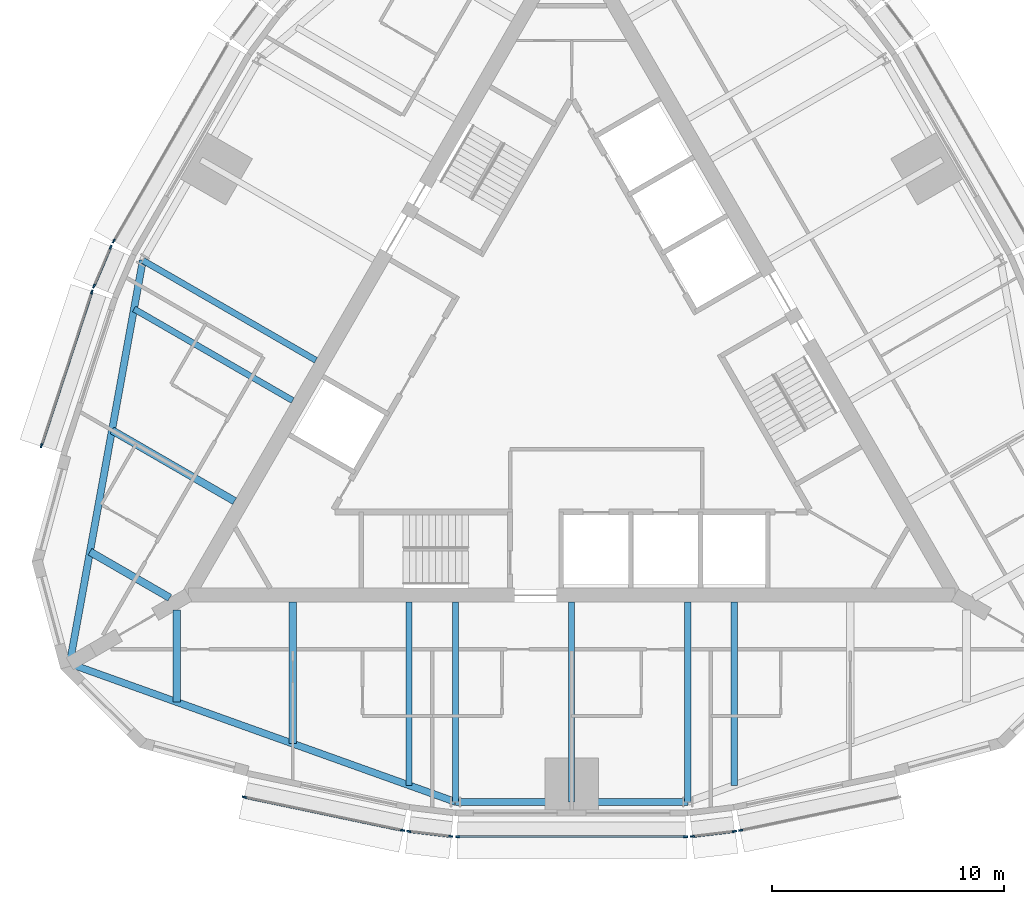
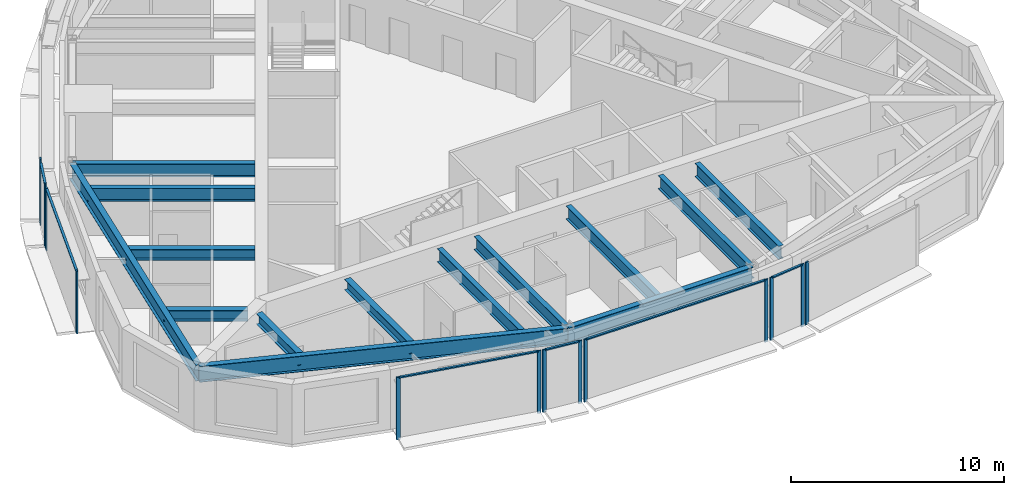
# One storey, part 2 of 12: 20 members, 14 beams, 8 elements without a shape of their own.
"""IFC4 building model written with IfcOpenShell, lengths in metres."""

from ifc_helpers import new_model, si_unit, direction, frame, origin, origin_2d, place, context, subcontext, project, spatial, rectangle, i_section, extrude, material, material_profile, profile_set, type_object, element, aggregate, save


model = new_model("IFC4")

# Units and contexts
model_context = context("Model", 3, precision=1e-05, world=origin(), true_north=direction((0.0, 1.0)))
body_context = subcontext(model_context, "Body", "Model", "MODEL_VIEW")
ifc_project = project(units=[si_unit("LENGTHUNIT", "METRE"), si_unit("AREAUNIT", "SQUARE_METRE"), si_unit("VOLUMEUNIT", "CUBIC_METRE"), si_unit("PLANEANGLEUNIT", "RADIAN"), si_unit("MASSUNIT", "GRAM", prefix="KILO")], contexts=[model_context])

# Site, building, storey
site_placement = place(None, origin())
site = spatial("IfcSite", under=ifc_project, at=site_placement, CompositionType="ELEMENT")
building_placement = place(site_placement, origin())
building = spatial("IfcBuilding", under=site, at=building_placement, Name="Trikona Tower", CompositionType="ELEMENT")
storey_placement = place(building_placement, frame((0.0, 0.0, 260.89990234375)))
storey = spatial("IfcBuildingStorey", under=building, at=storey_placement, Name="L69", CompositionType="ELEMENT", Elevation=260.89990234375)

# Curtain wall, members
ifc_material_1 = material(Name="Aluminium curtain wall system", Category="aluminium")
curtain_wall_type = type_object("IfcCurtainWallType", Name="Curtain wall DS3", PredefinedType="NOTDEFINED", material=ifc_material_1)
curtain_wall_1_placement = place(storey_placement, origin())
curtain_wall_1 = element("IfcCurtainWall", 1, at=curtain_wall_1_placement, inside=storey, type_object=curtain_wall_type, Name="Curtain wall DS3 L69", PredefinedType="NOTDEFINED")
ifc_material_2 = material(Name="Aluminium mullion, pale anodised", Category="aluminium")
ifc_material_profile_1 = material_profile(ifc_material_2, rectangle(XDim=0.070068359375, YDim=0.179931640625, at=origin_2d()), Name="MUL-DS3")
ifc_profile_set_1 = profile_set([ifc_material_profile_1], Name="Aluminium mullion, pale anodised")
member_type_1 = type_object("IfcMemberType", Name="Mullion DS3 70x180", PredefinedType="MULLION", material=ifc_profile_set_1)
member_1_placement = place(storey_placement, frame((-14.092041015625, -18.220703125, 0.0), z_axis=(0.0, 0.0, 1.0), x_axis=(0.205527448396, 0.978651351583, 0.0)))
member_1 = element("IfcMember", 2, at=member_1_placement, type_object=member_type_1, Name="CW-DS3 mullion 1", PredefinedType="MULLION", context=body_context, shape_type="SweptSolid", body=[
    extrude(rectangle(XDim=0.070068359375, YDim=0.179931640625, at=origin_2d()), origin(), (0.0, 0.0, 1.0), 3.60009765625),
])
member_2_placement = place(storey_placement, frame((-7.27783203125, -19.65185546875, 0.0), z_axis=(0.0, 0.0, 1.0), x_axis=(0.205527448396, 0.978651351583, 0.0)))
member_2 = element("IfcMember", 3, at=member_2_placement, type_object=member_type_1, Name="CW-DS3 mullion 2", PredefinedType="MULLION", context=body_context, shape_type="SweptSolid", body=[
    extrude(rectangle(XDim=0.070068359375, YDim=0.179931640625, at=origin_2d()), origin(), (0.0, 0.0, 1.0), 3.60009765625),
])

curtain_wall_2_placement = place(storey_placement, origin())
curtain_wall_2 = element("IfcCurtainWall", 4, at=curtain_wall_2_placement, inside=storey, type_object=curtain_wall_type, Name="Curtain wall DS3 L69", PredefinedType="NOTDEFINED")
member_3_placement = place(storey_placement, frame((-7.012939453125, -19.6953125, 0.0), z_axis=(0.0, 0.0, 1.0), x_axis=(0.119141057581, 0.992877338043, 0.0)))
member_3 = element("IfcMember", 5, at=member_3_placement, type_object=member_type_1, Name="CW-DS3 mullion 1", PredefinedType="MULLION", context=body_context, shape_type="SweptSolid", body=[
    extrude(rectangle(XDim=0.070068359375, YDim=0.179931640625, at=origin_2d()), origin(), (0.0, 0.0, 1.0), 3.60009765625),
])
member_4_placement = place(storey_placement, frame((-5.20166015625, -19.912841796875, 0.0), z_axis=(0.0, 0.0, 1.0), x_axis=(0.119141057581, 0.992877338043, 0.0)))
member_4 = element("IfcMember", 6, at=member_4_placement, type_object=member_type_1, Name="CW-DS3 mullion 2", PredefinedType="MULLION", context=body_context, shape_type="SweptSolid", body=[
    extrude(rectangle(XDim=0.070068359375, YDim=0.179931640625, at=origin_2d()), origin(), (0.0, 0.0, 1.0), 3.60009765625),
])

curtain_wall_3_placement = place(storey_placement, origin())
curtain_wall_3 = element("IfcCurtainWall", 7, at=curtain_wall_3_placement, inside=storey, type_object=curtain_wall_type, Name="Curtain wall DS3 L69", PredefinedType="NOTDEFINED")
member_5_placement = place(storey_placement, frame((-4.905029296875, -19.930419921875, 0.0), z_axis=(0.0, 0.0, 1.0), x_axis=(0.0, 1.0, 0.0)))
member_5 = element("IfcMember", 8, at=member_5_placement, type_object=member_type_1, Name="CW-DS3 mullion 1", PredefinedType="MULLION", context=body_context, shape_type="SweptSolid", body=[
    extrude(rectangle(XDim=0.070068359375, YDim=0.179931640625, at=origin_2d()), origin(), (0.0, 0.0, 1.0), 3.60009765625),
])
member_6_placement = place(storey_placement, frame((4.905029296875, -19.930419921875, 0.0), z_axis=(0.0, 0.0, 1.0), x_axis=(0.0, 1.0, 0.0)))
member_6 = element("IfcMember", 9, at=member_6_placement, type_object=member_type_1, Name="CW-DS3 mullion 2", PredefinedType="MULLION", context=body_context, shape_type="SweptSolid", body=[
    extrude(rectangle(XDim=0.070068359375, YDim=0.179931640625, at=origin_2d()), origin(), (0.0, 0.0, 1.0), 3.60009765625),
])

curtain_wall_4_placement = place(storey_placement, origin())
curtain_wall_4 = element("IfcCurtainWall", 10, at=curtain_wall_4_placement, inside=storey, type_object=curtain_wall_type, Name="Curtain wall DS3 L69", PredefinedType="NOTDEFINED")
member_7_placement = place(storey_placement, frame((5.20166015625, -19.912841796875, 0.0), z_axis=(0.0, 0.0, 1.0), x_axis=(-0.119141057581, 0.992877338043, 0.0)))
member_7 = element("IfcMember", 11, at=member_7_placement, type_object=member_type_1, Name="CW-DS3 mullion 1", PredefinedType="MULLION", context=body_context, shape_type="SweptSolid", body=[
    extrude(rectangle(XDim=0.070068359375, YDim=0.179931640625, at=origin_2d()), origin(), (0.0, 0.0, 1.0), 3.60009765625),
])
member_8_placement = place(storey_placement, frame((7.012939453125, -19.6953125, 0.0), z_axis=(0.0, 0.0, 1.0), x_axis=(-0.119141057581, 0.992877338043, 0.0)))
member_8 = element("IfcMember", 12, at=member_8_placement, type_object=member_type_1, Name="CW-DS3 mullion 2", PredefinedType="MULLION", context=body_context, shape_type="SweptSolid", body=[
    extrude(rectangle(XDim=0.070068359375, YDim=0.179931640625, at=origin_2d()), origin(), (0.0, 0.0, 1.0), 3.60009765625),
])

# Curtain wall, member
curtain_wall_5_placement = place(storey_placement, origin())
curtain_wall_5 = element("IfcCurtainWall", 13, at=curtain_wall_5_placement, inside=storey, type_object=curtain_wall_type, Name="Curtain wall DS3 L69", PredefinedType="NOTDEFINED")
member_9_placement = place(storey_placement, frame((7.27783203125, -19.65185546875, 0.0), z_axis=(0.0, 0.0, 1.0), x_axis=(-0.205527448396, 0.978651351583, 0.0)))
member_9 = element("IfcMember", 14, at=member_9_placement, type_object=member_type_1, Name="CW-DS3 mullion 1", PredefinedType="MULLION", context=body_context, shape_type="SweptSolid", body=[
    extrude(rectangle(XDim=0.070068359375, YDim=0.179931640625, at=origin_2d()), origin(), (0.0, 0.0, 1.0), 3.60009765625),
])
aggregate(curtain_wall_5, [member_9])

curtain_wall_6_placement = place(storey_placement, origin())
curtain_wall_6 = element("IfcCurtainWall", 15, at=curtain_wall_6_placement, inside=storey, type_object=curtain_wall_type, Name="Curtain wall DS3 L69", PredefinedType="NOTDEFINED")
member_10_placement = place(storey_placement, frame((-19.712890625, 5.717529296875, 0.0), z_axis=(0.0, 0.0, 1.0), x_axis=(0.866024619633, -0.500001358187, 0.0)))
member_10 = element("IfcMember", 16, at=member_10_placement, type_object=member_type_1, Name="CW-DS3 mullion 2", PredefinedType="MULLION", context=body_context, shape_type="SweptSolid", body=[
    extrude(rectangle(XDim=0.070068359375, YDim=0.179931640625, at=origin_2d()), origin(), (0.0, 0.0, 1.0), 3.60009765625),
])
aggregate(curtain_wall_6, [member_10])

# Curtain wall, members
curtain_wall_7_placement = place(storey_placement, origin())
curtain_wall_7 = element("IfcCurtainWall", 17, at=curtain_wall_7_placement, inside=storey, type_object=curtain_wall_type, Name="Curtain wall DS3 L69", PredefinedType="NOTDEFINED")
member_11_placement = place(storey_placement, frame((-19.845703125, 5.45166015625, 0.0), z_axis=(0.0, 0.0, 1.0), x_axis=(0.919420580163, -0.393275726143, 0.0)))
member_11 = element("IfcMember", 18, at=member_11_placement, type_object=member_type_1, Name="CW-DS3 mullion 1", PredefinedType="MULLION", context=body_context, shape_type="SweptSolid", body=[
    extrude(rectangle(XDim=0.070068359375, YDim=0.179931640625, at=origin_2d()), origin(), (0.0, 0.0, 1.0), 3.60009765625),
])
member_12_placement = place(storey_placement, frame((-20.563232421875, 3.7744140625, 0.0), z_axis=(0.0, 0.0, 1.0), x_axis=(0.919420580163, -0.393275726143, 0.0)))
member_12 = element("IfcMember", 19, at=member_12_placement, type_object=member_type_1, Name="CW-DS3 mullion 2", PredefinedType="MULLION", context=body_context, shape_type="SweptSolid", body=[
    extrude(rectangle(XDim=0.070068359375, YDim=0.179931640625, at=origin_2d()), origin(), (0.0, 0.0, 1.0), 3.60009765625),
])

curtain_wall_8_placement = place(storey_placement, origin())
curtain_wall_8 = element("IfcCurtainWall", 20, at=curtain_wall_8_placement, inside=storey, type_object=curtain_wall_type, Name="Curtain wall DS3 L69", PredefinedType="NOTDEFINED")
member_13_placement = place(storey_placement, frame((-20.657958984375, 3.52294921875, 0.0), z_axis=(0.0, 0.0, 1.0), x_axis=(0.95029742275, -0.311343553515, 0.0)))
member_13 = element("IfcMember", 21, at=member_13_placement, type_object=member_type_1, Name="CW-DS3 mullion 1", PredefinedType="MULLION", context=body_context, shape_type="SweptSolid", body=[
    extrude(rectangle(XDim=0.070068359375, YDim=0.179931640625, at=origin_2d()), origin(), (0.0, 0.0, 1.0), 3.60009765625),
])
member_14_placement = place(storey_placement, frame((-22.82568359375, -3.09375, 0.0), z_axis=(0.0, 0.0, 1.0), x_axis=(0.95029742275, -0.311343553515, 0.0)))
member_14 = element("IfcMember", 22, at=member_14_placement, type_object=member_type_1, Name="CW-DS3 mullion 2", PredefinedType="MULLION", context=body_context, shape_type="SweptSolid", body=[
    extrude(rectangle(XDim=0.070068359375, YDim=0.179931640625, at=origin_2d()), origin(), (0.0, 0.0, 1.0), 3.60009765625),
])

# Beams
ifc_material_3 = material(Name="Steel ASTM A992 Grade 50", Category="steel")
ifc_material_profile_2 = material_profile(ifc_material_3, i_section(OverallWidth=0.3251953125, OverallDepth=0.612060546875, WebThickness=0.0126953125, FlangeThickness=0.01904296875, at=origin_2d()), Name="W24X104")
ifc_profile_set_2 = profile_set([ifc_material_profile_2], Name="Steel ASTM A992 Grade 50")
beam_type_1 = type_object("IfcBeamType", Name="Steel beam W24x104 (wedge upper)", PredefinedType="BEAM", material=ifc_profile_set_2)
beam_1_placement = place(storey_placement, frame((-17.0, -10.161376953125, 3.12890625), z_axis=(0.0, -1.0, 0.0), x_axis=(1.0, 0.0, 0.0)))
element("IfcBeam", 23, at=beam_1_placement, inside=storey, type_object=beam_type_1, Name="Floor beam L70 F1 u-17", PredefinedType="BEAM", context=body_context, shape_type="SweptSolid", body=[
    extrude(i_section(OverallWidth=0.3251953125, OverallDepth=0.612060546875, WebThickness=0.0126953125, FlangeThickness=0.01904296875, at=origin_2d()), origin(), (0.0, 0.0, 1.0), 3.9677734375),
])
beam_2_placement = place(storey_placement, frame((-12.0, -9.826416015625, 3.12890625), z_axis=(0.0, -1.0, 0.0), x_axis=(1.0, 0.0, 0.0)))
element("IfcBeam", 24, at=beam_2_placement, inside=storey, type_object=beam_type_1, Name="Floor beam L70 F1 u-12", PredefinedType="BEAM", context=body_context, shape_type="SweptSolid", body=[
    extrude(i_section(OverallWidth=0.3251953125, OverallDepth=0.612060546875, WebThickness=0.0126953125, FlangeThickness=0.01904296875, at=origin_2d()), origin(), (0.0, 0.0, 1.0), 6.094970703125),
])
beam_3_placement = place(storey_placement, frame((-14.509765625, -5.479248046875, 3.12890625), z_axis=(-0.866023498866, 0.500003299401, 0.0), x_axis=(-0.500003299401, -0.866023498866, 0.0)))
element("IfcBeam", 25, at=beam_3_placement, inside=storey, type_object=beam_type_1, Name="Floor beam L70 F3 u12", PredefinedType="BEAM", context=body_context, shape_type="SweptSolid", body=[
    extrude(i_section(OverallWidth=0.3251953125, OverallDepth=0.612060546875, WebThickness=0.0126953125, FlangeThickness=0.01904296875, at=origin_2d()), origin(), (0.0, 0.0, 1.0), 6.09521484375),
])
beam_4_placement = place(storey_placement, frame((-17.300048828125, -9.6416015625, 3.12890625), z_axis=(-0.866030866614, 0.499990537983, 0.0), x_axis=(-0.499990537983, -0.866030866614, 0.0)))
element("IfcBeam", 26, at=beam_4_placement, inside=storey, type_object=beam_type_1, Name="Floor beam L70 F3 u17", PredefinedType="BEAM", context=body_context, shape_type="SweptSolid", body=[
    extrude(i_section(OverallWidth=0.3251953125, OverallDepth=0.612060546875, WebThickness=0.0126953125, FlangeThickness=0.01904296875, at=origin_2d()), origin(), (0.0, 0.0, 1.0), 3.9677734375),
])
ifc_material_4 = material(Name="Steel ASTM A992 Grade 50", Category="steel")
ifc_material_profile_3 = material_profile(ifc_material_4, i_section(OverallWidth=0.2666015625, OverallDepth=0.7568359375, WebThickness=0.013916015625, FlangeThickness=0.019287109375, at=origin_2d()), Name="W30X108")
ifc_profile_set_3 = profile_set([ifc_material_profile_3], Name="Steel ASTM A992 Grade 50")
beam_type_2 = type_object("IfcBeamType", Name="Steel beam W30x108 (radial upper)", PredefinedType="BEAM", material=ifc_profile_set_3)
beam_5_placement = place(storey_placement, frame((-7.0, -9.826416015625, 3.056640625), z_axis=(0.0, -1.0, 0.0), x_axis=(1.0, 0.0, 0.0)))
element("IfcBeam", 27, at=beam_5_placement, inside=storey, type_object=beam_type_2, Name="Floor beam L70 F1 u-7", PredefinedType="BEAM", context=body_context, shape_type="SweptSolid", body=[
    extrude(i_section(OverallWidth=0.2666015625, OverallDepth=0.7568359375, WebThickness=0.013916015625, FlangeThickness=0.019287109375, at=origin_2d()), origin(), (0.0, 0.0, 1.0), 7.88720703125),
])
for number, where, z_axis, x_axis, name in (
    (28, (-5.0, -9.826416015625, 3.056640625), (0.0, -1.0, 0.0), (1.0, 0.0, 0.0), "Floor beam L70 F1 u-5"),
    (29, (0.0, -9.826416015625, 3.056640625), (0.0, -1.0, 0.0), (1.0, 0.0, 0.0), "Floor beam L70 F1 u0"),
    (30, (5.0, -9.826416015625, 3.056640625), (0.0, -1.0, 0.0), (1.0, 0.0, 0.0), "Floor beam L70 F1 u5"),
):
    element("IfcBeam", number, at=place(storey_placement, frame(where, z_axis=z_axis, x_axis=x_axis)), inside=storey, type_object=beam_type_2, Name=name, PredefinedType="BEAM", context=body_context, shape_type="SweptSolid", body=[
        extrude(i_section(OverallWidth=0.2666015625, OverallDepth=0.7568359375, WebThickness=0.013916015625, FlangeThickness=0.019287109375, at=origin_2d()), origin(), (0.0, 0.0, 1.0), 8.60400390625),
    ])
beam_6_placement = place(storey_placement, frame((7.0, -9.826416015625, 3.056640625), z_axis=(0.0, -1.0, 0.0), x_axis=(1.0, 0.0, 0.0)))
element("IfcBeam", 31, at=beam_6_placement, inside=storey, type_object=beam_type_2, Name="Floor beam L70 F1 u7", PredefinedType="BEAM", context=body_context, shape_type="SweptSolid", body=[
    extrude(i_section(OverallWidth=0.2666015625, OverallDepth=0.7568359375, WebThickness=0.013916015625, FlangeThickness=0.019287109375, at=origin_2d()), origin(), (0.0, 0.0, 1.0), 7.88720703125),
])
beam_7_placement = place(storey_placement, frame((-11.009765625, 0.5830078125, 3.056640625), z_axis=(-0.866029182723, 0.49999345463, 0.0), x_axis=(-0.49999345463, -0.866029182723, 0.0)))
element("IfcBeam", 32, at=beam_7_placement, inside=storey, type_object=beam_type_2, Name="Floor beam L70 F3 u5", PredefinedType="BEAM", context=body_context, shape_type="SweptSolid", body=[
    extrude(i_section(OverallWidth=0.2666015625, OverallDepth=0.7568359375, WebThickness=0.013916015625, FlangeThickness=0.019287109375, at=origin_2d()), origin(), (0.0, 0.0, 1.0), 8.60400390625),
])
beam_8_placement = place(storey_placement, frame((-12.009765625, -1.14892578125, 3.056640625), z_axis=(-0.866034560358, 0.499984140014, 0.0), x_axis=(-0.499984140014, -0.866034560358, 0.0)))
element("IfcBeam", 33, at=beam_8_placement, inside=storey, type_object=beam_type_2, Name="Floor beam L70 F3 u7", PredefinedType="BEAM", context=body_context, shape_type="SweptSolid", body=[
    extrude(i_section(OverallWidth=0.2666015625, OverallDepth=0.7568359375, WebThickness=0.013916015625, FlangeThickness=0.019287109375, at=origin_2d()), origin(), (0.0, 0.0, 1.0), 7.887451171875),
])
ifc_material_5 = material(Name="Steel ASTM A992 Grade 50", Category="steel")
ifc_material_profile_4 = material_profile(ifc_material_5, i_section(OverallWidth=0.3046875, OverallDepth=0.911865234375, WebThickness=0.015869140625, FlangeThickness=0.02392578125, at=origin_2d()), Name="W36X150")
ifc_profile_set_4 = profile_set([ifc_material_profile_4], Name="Steel ASTM A992 Grade 50")
beam_type_3 = type_object("IfcBeamType", Name="Steel beam W36x150 (spandrel upper)", PredefinedType="SPANDREL", material=ifc_profile_set_4)
beam_9_placement = place(storey_placement, frame((-21.6103515625, -12.476806640625, 2.979248046875), z_axis=(0.941358144832, -0.337409014637, 0.0), x_axis=(0.337409014637, 0.941358144832, 0.0)))
element("IfcBeam", 34, at=beam_9_placement, inside=storey, type_object=beam_type_3, Name="Spandrel beam L70 F1-1", PredefinedType="SPANDREL", context=body_context, shape_type="SweptSolid", body=[
    extrude(i_section(OverallWidth=0.3046875, OverallDepth=0.911865234375, WebThickness=0.015869140625, FlangeThickness=0.02392578125, at=origin_2d()), origin(), (0.0, 0.0, 1.0), 17.64501953125),
])
beam_10_placement = place(storey_placement, frame((-5.0, -18.430419921875, 2.979248046875), z_axis=(1.0, 0.0, 0.0), x_axis=(0.0, 1.0, 0.0)))
element("IfcBeam", 35, at=beam_10_placement, inside=storey, type_object=beam_type_3, Name="Spandrel beam L70 F1-2", PredefinedType="SPANDREL", context=body_context, shape_type="SweptSolid", body=[
    extrude(i_section(OverallWidth=0.3046875, OverallDepth=0.911865234375, WebThickness=0.015869140625, FlangeThickness=0.02392578125, at=origin_2d()), origin(), (0.0, 0.0, 1.0), 10.0),
])
beam_11_placement = place(storey_placement, frame((-18.461181640625, 4.885009765625, 2.979248046875), z_axis=(-0.178472662054, -0.983944870864, 0.0), x_axis=(0.983944870864, -0.178472662054, 0.0)))
element("IfcBeam", 36, at=beam_11_placement, inside=storey, type_object=beam_type_3, Name="Spandrel beam L70 F3-3", PredefinedType="SPANDREL", context=body_context, shape_type="SweptSolid", body=[
    extrude(i_section(OverallWidth=0.3046875, OverallDepth=0.911865234375, WebThickness=0.015869140625, FlangeThickness=0.02392578125, at=origin_2d()), origin(), (0.0, 0.0, 1.0), 17.64501953125),
])

# Member
ifc_material_6 = material(Name="Aluminium transom, pale anodised", Category="aluminium")
ifc_material_profile_5 = material_profile(ifc_material_6, rectangle(XDim=0.1201171875, YDim=0.070068359375, at=origin_2d()), Name="TRN-DS3")
ifc_profile_set_5 = profile_set([ifc_material_profile_5], Name="Aluminium transom, pale anodised")
member_type_2 = type_object("IfcMemberType", Name="Transom DS3 70x120", PredefinedType="USERDEFINED", material=ifc_profile_set_5)
member_15_placement = place(storey_placement, frame((-14.0576171875, -18.22802734375, 3.565185546875), z_axis=(0.978654137783, -0.205514181021, 0.0), x_axis=(0.205514181021, 0.978654137783, 0.0)))
member_15 = element("IfcMember", 37, at=member_15_placement, type_object=member_type_2, Name="CW-DS3 transom 1.1", ObjectType="TRANSOM", PredefinedType="USERDEFINED", context=body_context, shape_type="SweptSolid", body=[
    extrude(rectangle(XDim=0.1201171875, YDim=0.070068359375, at=origin_2d()), origin(), (0.0, 0.0, 1.0), 6.892578125),
])

aggregate(curtain_wall_1, [member_1, member_2, member_15])

member_16_placement = place(storey_placement, frame((-6.978271484375, -19.699462890625, 3.565185546875), z_axis=(0.992880130449, -0.119117784396, 0.0), x_axis=(0.119117784396, 0.992880130449, 0.0)))
member_16 = element("IfcMember", 38, at=member_16_placement, type_object=member_type_2, Name="CW-DS3 transom 1.1", ObjectType="TRANSOM", PredefinedType="USERDEFINED", context=body_context, shape_type="SweptSolid", body=[
    extrude(rectangle(XDim=0.1201171875, YDim=0.070068359375, at=origin_2d()), origin(), (0.0, 0.0, 1.0), 1.75439453125),
])

aggregate(curtain_wall_2, [member_3, member_4, member_16])

member_17_placement = place(storey_placement, frame((-4.8701171875, -19.930419921875, 3.565185546875), z_axis=(1.0, 0.0, 0.0), x_axis=(0.0, 1.0, 0.0)))
member_17 = element("IfcMember", 39, at=member_17_placement, type_object=member_type_2, Name="CW-DS3 transom 1.1", ObjectType="TRANSOM", PredefinedType="USERDEFINED", context=body_context, shape_type="SweptSolid", body=[
    extrude(rectangle(XDim=0.1201171875, YDim=0.070068359375, at=origin_2d()), origin(), (0.0, 0.0, 1.0), 9.740234375),
])

aggregate(curtain_wall_3, [member_5, member_6, member_17])

member_18_placement = place(storey_placement, frame((5.236328125, -19.908447265625, 3.565185546875), z_axis=(0.992880130449, 0.119117784396, 0.0), x_axis=(-0.119117784396, 0.992880130449, 0.0)))
member_18 = element("IfcMember", 40, at=member_18_placement, type_object=member_type_2, Name="CW-DS3 transom 1.1", ObjectType="TRANSOM", PredefinedType="USERDEFINED", context=body_context, shape_type="SweptSolid", body=[
    extrude(rectangle(XDim=0.1201171875, YDim=0.070068359375, at=origin_2d()), origin(), (0.0, 0.0, 1.0), 1.75439453125),
])

aggregate(curtain_wall_4, [member_7, member_8, member_18])

member_19_placement = place(storey_placement, frame((-19.859619140625, 5.41943359375, 3.565185546875), z_axis=(-0.393314512783, -0.919403988481, 0.0), x_axis=(0.919403988481, -0.393314512783, 0.0)))
member_19 = element("IfcMember", 41, at=member_19_placement, type_object=member_type_2, Name="CW-DS3 transom 1.1", ObjectType="TRANSOM", PredefinedType="USERDEFINED", context=body_context, shape_type="SweptSolid", body=[
    extrude(rectangle(XDim=0.1201171875, YDim=0.070068359375, at=origin_2d()), origin(), (0.0, 0.0, 1.0), 1.754150390625),
])

aggregate(curtain_wall_7, [member_11, member_12, member_19])

member_20_placement = place(storey_placement, frame((-20.668701171875, 3.48974609375, 3.565185546875), z_axis=(-0.311346184, -0.950296560926, 0.0), x_axis=(0.950296560926, -0.311346184, 0.0)))
member_20 = element("IfcMember", 42, at=member_20_placement, type_object=member_type_2, Name="CW-DS3 transom 1.1", ObjectType="TRANSOM", PredefinedType="USERDEFINED", context=body_context, shape_type="SweptSolid", body=[
    extrude(rectangle(XDim=0.1201171875, YDim=0.070068359375, at=origin_2d()), origin(), (0.0, 0.0, 1.0), 6.892578125),
])

aggregate(curtain_wall_8, [member_13, member_14, member_20])

save(model, "model.ifc")
